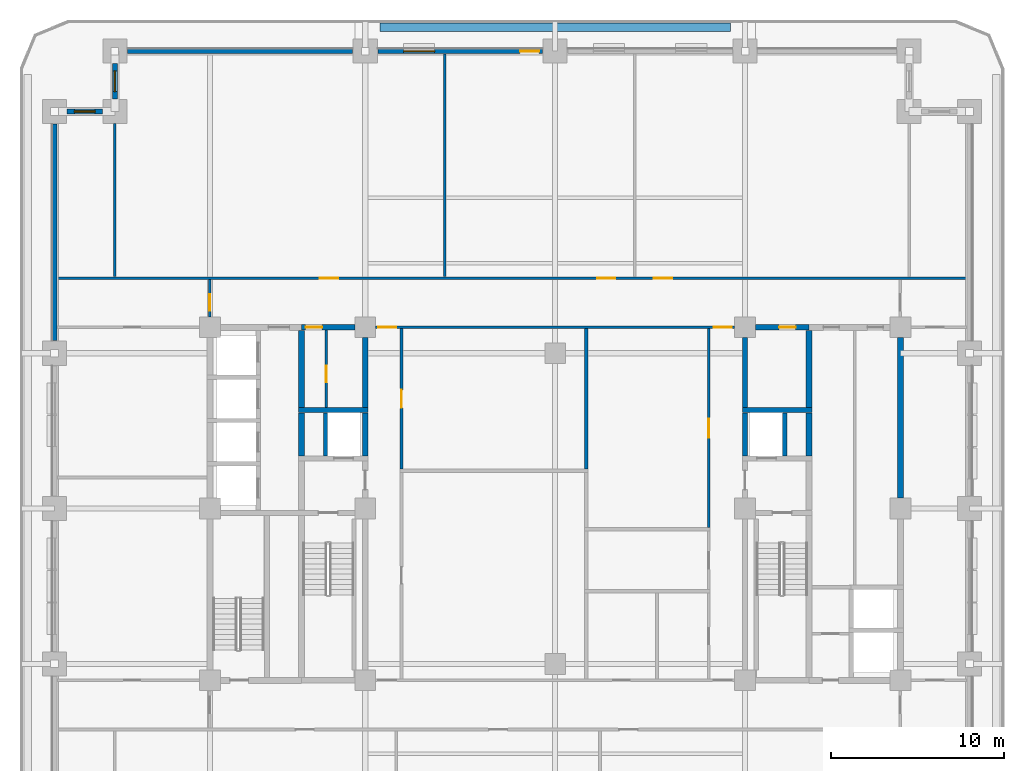
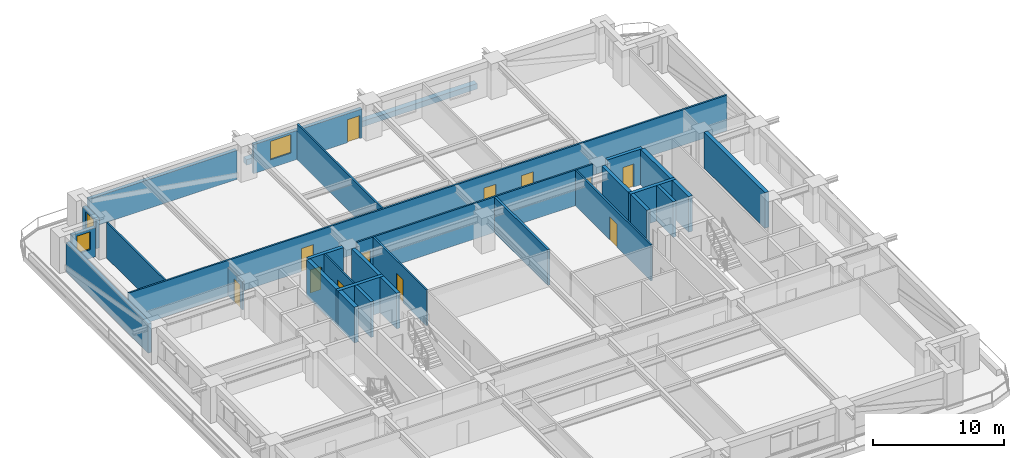
# One storey, part 5 of 14: 30 walls, 12 doors, 3 windows, 15 openings.
"""IFC4 building model written with IfcOpenShell, lengths in metres."""

from ifc_helpers import new_model, si_unit, direction, frame, frame_2d, origin, place, context, subcontext, project, spatial, rectangle, extrude, material, layer, layer_set, type_object, element, fill, save


model = new_model("IFC4")

# Units and contexts
model_context = context("Model", 3, precision=1e-05, world=origin(), true_north=direction((0.0, 1.0)))
body_context = subcontext(model_context, "Body", "Model", "MODEL_VIEW")
ifc_project = project(units=[si_unit("LENGTHUNIT", "METRE"), si_unit("AREAUNIT", "SQUARE_METRE"), si_unit("VOLUMEUNIT", "CUBIC_METRE"), si_unit("PLANEANGLEUNIT", "RADIAN"), si_unit("MASSUNIT", "GRAM", prefix="KILO")], contexts=[model_context])

# Site, building, storey
site_placement = place(None, origin())
site = spatial("IfcSite", under=ifc_project, at=site_placement, CompositionType="ELEMENT")
building_placement = place(site_placement, origin())
building = spatial("IfcBuilding", under=site, at=building_placement, Name="Zulmaris Gate Convention Tower", CompositionType="ELEMENT")
storey_placement = place(building_placement, frame((0.0, 0.0, 64.329833984375)))
storey = spatial("IfcBuildingStorey", under=building, at=storey_placement, Name="L15", CompositionType="ELEMENT", Elevation=64.329833984375)

# Walls
ifc_material_1 = material(Name="Concrete C50/60", Category="concrete")
ifc_layer_1 = layer(ifc_material_1, 0.25, Name="Concrete C50/60")
ifc_layer_set_1 = layer_set([ifc_layer_1], Name="Concrete C50/60")
wall_type_1 = type_object("IfcWallType", Name="CORE-250", PredefinedType="SOLIDWALL", material=ifc_layer_set_1)
for number, where, z_axis, x_axis, name in (
    (1, (-13.300048828125, 3.052001953125, 0.0), (0.0, 0.0, 1.0), (0.0, 1.0, 0.0), "WL-L15-048"),
    (2, (13.300048828125, 3.052001953125, 0.0), (0.0, 0.0, 1.0), (0.0, 1.0, 0.0), "WL-L15-059"),
):
    element("IfcWall", number, at=place(storey_placement, frame(where, z_axis=z_axis, x_axis=x_axis)), inside=storey, type_object=wall_type_1, Name=name, PredefinedType="SOLIDWALL", context=body_context, shape_type="SweptSolid", body=[
        extrude(rectangle(XDim=2.49609375, YDim=0.25, at=frame_2d((1.248046875, 0.0))), origin(), (0.0, 0.0, 1.0), 3.320068359375),
    ])
ifc_layer_2 = layer(ifc_material_1, 0.300048828125, Name="Concrete C50/60")
ifc_layer_set_2 = layer_set([ifc_layer_2], Name="Concrete C50/60")
wall_type_2 = type_object("IfcWallType", Name="CORE-300", PredefinedType="SHEAR", material=ifc_layer_set_2)
for number, where, z_axis, x_axis, name in (
    (3, (-14.875, 5.699951171875, 0.0), (0.0, 0.0, 1.0), (1.0, 0.0, 0.0), "WL-L15-013"),
    (4, (10.85009765625, 5.699951171875, 0.0), (0.0, 0.0, 1.0), (1.0, 0.0, 0.0), "WL-L15-014"),
):
    element("IfcWall", number, at=place(storey_placement, frame(where, z_axis=z_axis, x_axis=x_axis)), inside=storey, type_object=wall_type_2, Name=name, PredefinedType="SHEAR", context=body_context, shape_type="SweptSolid", body=[
        extrude(rectangle(XDim=4.02490234375, YDim=0.300048828125, at=frame_2d((2.012451171875, 0.0))), origin(), (0.0, 0.0, 1.0), 3.320068359375),
    ])

# Wall, opening, door
wall_1_placement = place(storey_placement, frame((-14.699951171875, 10.5, 0.0), z_axis=(0.0, 0.0, 1.0), x_axis=(1.0, 0.0, 0.0)))
wall_1 = element("IfcWall", 5, at=wall_1_placement, inside=storey, type_object=wall_type_2, Name="WL-L15-017", PredefinedType="SHEAR", context=body_context, shape_type="SweptSolid", body=[
    extrude(rectangle(XDim=3.095947265625, YDim=0.300048828125, at=frame_2d((1.5478515625, 0.0))), origin(), (0.0, 0.0, 1.0), 3.320068359375),
])
opening_1_placement = place(wall_1_placement, frame((0.2451171875, 0.0, 0.0)))
opening_1 = element("IfcOpeningElement", 6, at=opening_1_placement, cuts=wall_1, Name="Opening D-11", PredefinedType="OPENING", context=body_context, shape_type="SweptSolid", body=[
    extrude(rectangle(XDim=0.949951171875, YDim=2.14990234375, at=frame_2d((0.47509765625, 1.074951171875))), frame((0.0, 0.16015625, 0.0), z_axis=(0.0, -1.0, 0.0), x_axis=(1.0, 0.0, 0.0)), (0.0, 0.0, 1.0), 0.320068359375),
])
ifc_material_2 = material(Name="Fire-Rated Timber", Category="wood")
door_type_1 = type_object("IfcDoorType", Name="DR-950-FD", OperationType="NOTDEFINED", PredefinedType="DOOR", material=ifc_material_2)
door_1_placement = place(opening_1_placement, origin())
door_1 = element("IfcDoor", 7, at=door_1_placement, inside=storey, type_object=door_type_1, Name="L15 Core Mail Room Door 07", OperationType="SINGLE_SWING_LEFT", OverallHeight=2.14990234375, OverallWidth=0.949951171875, PredefinedType="DOOR", context=body_context, shape_type="SweptSolid", body=[
    extrude(rectangle(XDim=0.949951171875, YDim=2.14990234375, at=frame_2d((0.47509765625, 1.074951171875))), frame((0.0, 0.02490234375, 0.0), z_axis=(0.0, -1.0, 0.0), x_axis=(1.0, 0.0, 0.0)), (0.0, 0.0, 1.0), 0.050048828125),
])
fill(opening_1, door_1)

wall_2_placement = place(storey_placement, frame((11.60400390625, 10.5, 0.0), z_axis=(0.0, 0.0, 1.0), x_axis=(1.0, 0.0, 0.0)))
wall_2 = element("IfcWall", 8, at=wall_2_placement, inside=storey, type_object=wall_type_2, Name="WL-L15-018", PredefinedType="SHEAR", context=body_context, shape_type="SweptSolid", body=[
    extrude(rectangle(XDim=3.095947265625, YDim=0.300048828125, at=frame_2d((1.5478515625, 0.0))), origin(), (0.0, 0.0, 1.0), 3.320068359375),
])
opening_2_placement = place(wall_2_placement, frame((1.37109375, 0.0, 0.0)))
opening_2 = element("IfcOpeningElement", 9, at=opening_2_placement, cuts=wall_2, Name="Opening D-11", PredefinedType="OPENING", context=body_context, shape_type="SweptSolid", body=[
    extrude(rectangle(XDim=0.949951171875, YDim=2.14990234375, at=frame_2d((0.47509765625, 1.074951171875))), frame((0.0, 0.16015625, 0.0), z_axis=(0.0, -1.0, 0.0), x_axis=(1.0, 0.0, 0.0)), (0.0, 0.0, 1.0), 0.320068359375),
])
door_2_placement = place(opening_2_placement, origin())
door_2 = element("IfcDoor", 10, at=door_2_placement, inside=storey, type_object=door_type_1, Name="L15 Core Tea Pantry Door 09", OperationType="SINGLE_SWING_LEFT", OverallHeight=2.14990234375, OverallWidth=0.949951171875, PredefinedType="DOOR", context=body_context, shape_type="SweptSolid", body=[
    extrude(rectangle(XDim=0.949951171875, YDim=2.14990234375, at=frame_2d((0.47509765625, 1.074951171875))), frame((0.0, 0.02490234375, 0.0), z_axis=(0.0, -1.0, 0.0), x_axis=(1.0, 0.0, 0.0)), (0.0, 0.0, 1.0), 0.050048828125),
])
fill(opening_2, door_2)

# Walls
wall_3_placement = place(storey_placement, frame((-11.0, 3.052001953125, 0.0), z_axis=(0.0, 0.0, 1.0), x_axis=(0.0, 1.0, 0.0)))
element("IfcWall", 11, at=wall_3_placement, inside=storey, type_object=wall_type_2, Name="WL-L15-052", PredefinedType="SHEAR", context=body_context, shape_type="SweptSolid", body=[
    extrude(rectangle(XDim=2.49609375, YDim=0.300048828125, at=frame_2d((1.248046875, 0.0))), origin(), (0.0, 0.0, 1.0), 3.320068359375),
])
wall_4_placement = place(storey_placement, frame((-11.0, 5.85205078125, 0.0), z_axis=(0.0, 0.0, 1.0), x_axis=(0.0, 1.0, 0.0)))
element("IfcWall", 12, at=wall_4_placement, inside=storey, type_object=wall_type_2, Name="WL-L15-053", PredefinedType="SHEAR", context=body_context, shape_type="SweptSolid", body=[
    extrude(rectangle(XDim=4.0439453125, YDim=0.300048828125, at=frame_2d((2.02197265625, 0.0))), origin(), (0.0, 0.0, 1.0), 3.320068359375),
])
wall_5_placement = place(storey_placement, frame((11.0, 3.052001953125, 0.0), z_axis=(0.0, 0.0, 1.0), x_axis=(0.0, 1.0, 0.0)))
element("IfcWall", 13, at=wall_5_placement, inside=storey, type_object=wall_type_2, Name="WL-L15-056", PredefinedType="SHEAR", context=body_context, shape_type="SweptSolid", body=[
    extrude(rectangle(XDim=2.49609375, YDim=0.300048828125, at=frame_2d((1.248046875, 0.0))), origin(), (0.0, 0.0, 1.0), 3.320068359375),
])
wall_6_placement = place(storey_placement, frame((11.0, 5.85205078125, 0.0), z_axis=(0.0, 0.0, 1.0), x_axis=(0.0, 1.0, 0.0)))
element("IfcWall", 14, at=wall_6_placement, inside=storey, type_object=wall_type_2, Name="WL-L15-057", PredefinedType="SHEAR", context=body_context, shape_type="SweptSolid", body=[
    extrude(rectangle(XDim=4.0439453125, YDim=0.300048828125, at=frame_2d((2.02197265625, 0.0))), origin(), (0.0, 0.0, 1.0), 3.320068359375),
])
ifc_material_3 = material(Name="Concrete C55/67", Category="concrete")
ifc_layer_3 = layer(ifc_material_3, 0.35009765625, Name="Concrete C55/67")
ifc_layer_set_3 = layer_set([ifc_layer_3], Name="Concrete C55/67")
wall_type_3 = type_object("IfcWallType", Name="CORE-350", PredefinedType="SHEAR", material=ifc_layer_set_3)
wall_7_placement = place(storey_placement, frame((-14.699951171875, 3.052001953125, 0.0), z_axis=(0.0, 0.0, 1.0), x_axis=(0.0, 1.0, 0.0)))
element("IfcWall", 15, at=wall_7_placement, inside=storey, type_object=wall_type_3, Name="WL-L15-046", PredefinedType="SHEAR", context=body_context, shape_type="SweptSolid", body=[
    extrude(rectangle(XDim=2.49609375, YDim=0.35009765625, at=frame_2d((1.248046875, 0.0))), origin(), (0.0, 0.0, 1.0), 3.320068359375),
])
wall_8_placement = place(storey_placement, frame((-14.699951171875, 5.85205078125, 0.0), z_axis=(0.0, 0.0, 1.0), x_axis=(0.0, 1.0, 0.0)))
element("IfcWall", 16, at=wall_8_placement, inside=storey, type_object=wall_type_3, Name="WL-L15-047", PredefinedType="SHEAR", context=body_context, shape_type="SweptSolid", body=[
    extrude(rectangle(XDim=4.470947265625, YDim=0.35009765625, at=frame_2d((2.2353515625, 0.0))), origin(), (0.0, 0.0, 1.0), 3.320068359375),
])
wall_9_placement = place(storey_placement, frame((14.699951171875, 3.052001953125, 0.0), z_axis=(0.0, 0.0, 1.0), x_axis=(0.0, 1.0, 0.0)))
element("IfcWall", 17, at=wall_9_placement, inside=storey, type_object=wall_type_3, Name="WL-L15-062", PredefinedType="SHEAR", context=body_context, shape_type="SweptSolid", body=[
    extrude(rectangle(XDim=2.49609375, YDim=0.35009765625, at=frame_2d((1.248046875, 0.0))), origin(), (0.0, 0.0, 1.0), 3.320068359375),
])
wall_10_placement = place(storey_placement, frame((14.699951171875, 5.85205078125, 0.0), z_axis=(0.0, 0.0, 1.0), x_axis=(0.0, 1.0, 0.0)))
element("IfcWall", 18, at=wall_10_placement, inside=storey, type_object=wall_type_3, Name="WL-L15-063", PredefinedType="SHEAR", context=body_context, shape_type="SweptSolid", body=[
    extrude(rectangle(XDim=4.470947265625, YDim=0.35009765625, at=frame_2d((2.2353515625, 0.0))), origin(), (0.0, 0.0, 1.0), 3.320068359375),
])
wall_11_placement = place(storey_placement, frame((20.0, 0.60400390625, 0.0), z_axis=(0.0, 0.0, 1.0), x_axis=(0.0, 1.0, 0.0)))
element("IfcWall", 19, at=wall_11_placement, inside=storey, type_object=wall_type_3, Name="WL-L15-068S1", PredefinedType="SHEAR", context=body_context, shape_type="SweptSolid", body=[
    extrude(rectangle(XDim=9.2919921875, YDim=0.35009765625, at=frame_2d((4.64599609375, 0.0))), origin(), (0.0, 0.0, 1.0), 3.320068359375),
])

# Wall, openings, doors
ifc_material_4 = material(Name="Gypsum Metal Stud Partition")
ifc_layer_4 = layer(ifc_material_4, 0.14990234375, Name="Gypsum Metal Stud Partition")
ifc_layer_set_4 = layer_set([ifc_layer_4], Name="Gypsum Metal Stud Partition")
wall_type_4 = type_object("IfcWallType", Name="PART-150", PredefinedType="PARTITIONING", material=ifc_layer_set_4)
wall_12_placement = place(storey_placement, frame((-10.39404296875, 10.5, 0.0), z_axis=(0.0, 0.0, 1.0), x_axis=(1.0, 0.0, 0.0)))
wall_12 = element("IfcWall", 20, at=wall_12_placement, inside=storey, type_object=wall_type_4, Name="WL-L15-031", PredefinedType="PARTITIONING", context=body_context, shape_type="SweptSolid", body=[
    extrude(rectangle(XDim=20.7880859375, YDim=0.14990234375, at=frame_2d((10.39404296875, 0.0))), origin(), (0.0, 0.0, 1.0), 3.320068359375),
])
opening_3_placement = place(wall_12_placement, frame((0.14990234375, 0.0, 0.0)))
opening_3 = element("IfcOpeningElement", 21, at=opening_3_placement, cuts=wall_12, Name="Opening D-09", PredefinedType="OPENING", context=body_context, shape_type="SweptSolid", body=[
    extrude(rectangle(XDim=1.050048828125, YDim=2.14990234375, at=frame_2d((0.52490234375, 1.074951171875))), frame((0.0, 0.0849609375, 0.0), z_axis=(0.0, -1.0, 0.0), x_axis=(1.0, 0.0, 0.0)), (0.0, 0.0, 1.0), 0.169921875),
])
opening_4_placement = place(wall_12_placement, frame((19.587890625, 0.0, 0.0)))
opening_4 = element("IfcOpeningElement", 22, at=opening_4_placement, cuts=wall_12, Name="Opening D-09", PredefinedType="OPENING", context=body_context, shape_type="SweptSolid", body=[
    extrude(rectangle(XDim=1.050048828125, YDim=2.14990234375, at=frame_2d((0.52490234375, 1.074951171875))), frame((0.0, 0.0849609375, 0.0), z_axis=(0.0, -1.0, 0.0), x_axis=(1.0, 0.0, 0.0)), (0.0, 0.0, 1.0), 0.169921875),
])
ifc_material_5 = material(Name="Fire-Rated Steel", Category="steel")
door_type_2 = type_object("IfcDoorType", Name="DR-1050-FD", OperationType="NOTDEFINED", PredefinedType="DOOR", material=ifc_material_5)
door_3_placement = place(opening_3_placement, origin())
door_3 = element("IfcDoor", 23, at=door_3_placement, inside=storey, type_object=door_type_2, Name="L15 NW Spine Link Door 20", OperationType="SINGLE_SWING_RIGHT", OverallHeight=2.14990234375, OverallWidth=1.050048828125, PredefinedType="DOOR", context=body_context, shape_type="SweptSolid", body=[
    extrude(rectangle(XDim=1.050048828125, YDim=2.14990234375, at=frame_2d((0.52490234375, 1.074951171875))), frame((0.0, 0.02490234375, 0.0), z_axis=(0.0, -1.0, 0.0), x_axis=(1.0, 0.0, 0.0)), (0.0, 0.0, 1.0), 0.050048828125),
])
fill(opening_3, door_3)
door_4_placement = place(opening_4_placement, origin())
door_4 = element("IfcDoor", 24, at=door_4_placement, inside=storey, type_object=door_type_2, Name="L15 NE Spine Link Door 22", OperationType="SINGLE_SWING_RIGHT", OverallHeight=2.14990234375, OverallWidth=1.050048828125, PredefinedType="DOOR", context=body_context, shape_type="SweptSolid", body=[
    extrude(rectangle(XDim=1.050048828125, YDim=2.14990234375, at=frame_2d((0.52490234375, 1.074951171875))), frame((0.0, 0.02490234375, 0.0), z_axis=(0.0, -1.0, 0.0), x_axis=(1.0, 0.0, 0.0)), (0.0, 0.0, 1.0), 0.050048828125),
])
fill(opening_4, door_4)

wall_13_placement = place(storey_placement, frame((-28.8349609375, 13.35009765625, 0.0), z_axis=(0.0, 0.0, 1.0), x_axis=(1.0, 0.0, 0.0)))
wall_13 = element("IfcWall", 25, at=wall_13_placement, inside=storey, type_object=wall_type_4, Name="WL-L15-033", PredefinedType="PARTITIONING", context=body_context, shape_type="SweptSolid", body=[
    extrude(rectangle(XDim=52.669921875, YDim=0.14990234375, at=frame_2d((26.3349609375, 0.0))), origin(), (0.0, 0.0, 1.0), 3.320068359375),
])
opening_5_placement = place(wall_13_placement, frame((15.2099609375, 0.0, 0.0)))
opening_5 = element("IfcOpeningElement", 26, at=opening_5_placement, cuts=wall_13, Name="Opening D-09", PredefinedType="OPENING", context=body_context, shape_type="SweptSolid", body=[
    extrude(rectangle(XDim=1.050048828125, YDim=2.14990234375, at=frame_2d((0.52490234375, 1.074951171875))), frame((0.0, 0.0849609375, 0.0), z_axis=(0.0, -1.0, 0.0), x_axis=(1.0, 0.0, 0.0)), (0.0, 0.0, 1.0), 0.169921875),
])
opening_6_placement = place(wall_13_placement, frame((31.260009765625, 0.0, 0.0)))
opening_6 = element("IfcOpeningElement", 27, at=opening_6_placement, cuts=wall_13, Name="Opening D-09", PredefinedType="OPENING", context=body_context, shape_type="SweptSolid", body=[
    extrude(rectangle(XDim=1.050048828125, YDim=2.14990234375, at=frame_2d((0.52490234375, 1.074951171875))), frame((0.0, 0.0849609375, 0.0), z_axis=(0.0, -1.0, 0.0), x_axis=(1.0, 0.0, 0.0)), (0.0, 0.0, 1.0), 0.169921875),
])
opening_7_placement = place(wall_13_placement, frame((34.56005859375, 0.0, 0.0)))
opening_7 = element("IfcOpeningElement", 28, at=opening_7_placement, cuts=wall_13, Name="Opening D-09", PredefinedType="OPENING", context=body_context, shape_type="SweptSolid", body=[
    extrude(rectangle(XDim=1.050048828125, YDim=2.14990234375, at=frame_2d((0.52490234375, 1.074951171875))), frame((0.0, 0.0849609375, 0.0), z_axis=(0.0, -1.0, 0.0), x_axis=(1.0, 0.0, 0.0)), (0.0, 0.0, 1.0), 0.169921875),
])
door_5_placement = place(opening_5_placement, origin())
door_5 = element("IfcDoor", 29, at=door_5_placement, inside=storey, type_object=door_type_2, Name="L15 Partner Corner Office Door 24", OperationType="SINGLE_SWING_RIGHT", OverallHeight=2.14990234375, OverallWidth=1.050048828125, PredefinedType="DOOR", context=body_context, shape_type="SweptSolid", body=[
    extrude(rectangle(XDim=1.050048828125, YDim=2.14990234375, at=frame_2d((0.52490234375, 1.074951171875))), frame((0.0, 0.02490234375, 0.0), z_axis=(0.0, -1.0, 0.0), x_axis=(1.0, 0.0, 0.0)), (0.0, 0.0, 1.0), 0.050048828125),
])
fill(opening_5, door_5)
door_6_placement = place(opening_6_placement, origin())
door_6 = element("IfcDoor", 30, at=door_6_placement, inside=storey, type_object=door_type_2, Name="L15 Advisory Suite Office Door 25", OperationType="SINGLE_SWING_LEFT", OverallHeight=2.14990234375, OverallWidth=1.050048828125, PredefinedType="DOOR", context=body_context, shape_type="SweptSolid", body=[
    extrude(rectangle(XDim=1.050048828125, YDim=2.14990234375, at=frame_2d((0.52490234375, 1.074951171875))), frame((0.0, 0.02490234375, 0.0), z_axis=(0.0, -1.0, 0.0), x_axis=(1.0, 0.0, 0.0)), (0.0, 0.0, 1.0), 0.050048828125),
])
fill(opening_6, door_6)
door_7_placement = place(opening_7_placement, origin())
door_7 = element("IfcDoor", 31, at=door_7_placement, inside=storey, type_object=door_type_2, Name="L15 Open Plan Workplace Door 26", OperationType="SINGLE_SWING_RIGHT", OverallHeight=2.14990234375, OverallWidth=1.050048828125, PredefinedType="DOOR", context=body_context, shape_type="SweptSolid", body=[
    extrude(rectangle(XDim=1.050048828125, YDim=2.14990234375, at=frame_2d((0.52490234375, 1.074951171875))), frame((0.0, 0.02490234375, 0.0), z_axis=(0.0, -1.0, 0.0), x_axis=(1.0, 0.0, 0.0)), (0.0, 0.0, 1.0), 0.050048828125),
])
fill(opening_7, door_7)

# Wall
wall_14_placement = place(storey_placement, frame((-25.5, 13.427978515625, 0.0), z_axis=(0.0, 0.0, 1.0), x_axis=(0.0, 1.0, 0.0)))
element("IfcWall", 32, at=wall_14_placement, inside=storey, type_object=wall_type_4, Name="WL-L15-070", PredefinedType="PARTITIONING", context=body_context, shape_type="SweptSolid", body=[
    extrude(rectangle(XDim=8.865966796875, YDim=0.14990234375, at=frame_2d((4.43310546875, 0.0))), origin(), (0.0, 0.0, 1.0), 3.320068359375),
])

# Wall, opening, door
wall_15_placement = place(storey_placement, frame((-20.0, 11.10595703125, 0.0), z_axis=(0.0, 0.0, 1.0), x_axis=(0.0, 1.0, 0.0)))
wall_15 = element("IfcWall", 33, at=wall_15_placement, inside=storey, type_object=wall_type_4, Name="WL-L15-072", PredefinedType="PARTITIONING", context=body_context, shape_type="SweptSolid", body=[
    extrude(rectangle(XDim=2.166015625, YDim=0.14990234375, at=frame_2d((1.0830078125, 0.0))), origin(), (0.0, 0.0, 1.0), 2.66015625),
])
opening_8_placement = place(wall_15_placement, frame((0.34912109375, 0.0, 0.0)))
opening_8 = element("IfcOpeningElement", 34, at=opening_8_placement, cuts=wall_15, Name="Opening D-11", PredefinedType="OPENING", context=body_context, shape_type="SweptSolid", body=[
    extrude(rectangle(XDim=0.949951171875, YDim=2.14990234375, at=frame_2d((0.47509765625, 1.074951171875))), frame((0.0, 0.0849609375, 0.0), z_axis=(0.0, -1.0, 0.0), x_axis=(1.0, 0.0, 0.0)), (0.0, 0.0, 1.0), 0.169921875),
])
door_8_placement = place(opening_8_placement, origin())
door_8 = element("IfcDoor", 35, at=door_8_placement, inside=storey, type_object=door_type_1, Name="L15 NW Spur Door 36", OperationType="SINGLE_SWING_RIGHT", OverallHeight=2.14990234375, OverallWidth=0.949951171875, PredefinedType="DOOR", context=body_context, shape_type="SweptSolid", body=[
    extrude(rectangle(XDim=0.949951171875, YDim=2.14990234375, at=frame_2d((0.47509765625, 1.074951171875))), frame((0.0, 0.02490234375, 0.0), z_axis=(0.0, -1.0, 0.0), x_axis=(1.0, 0.0, 0.0)), (0.0, 0.0, 1.0), 0.050048828125),
])
fill(opening_8, door_8)

wall_16_placement = place(storey_placement, frame((-13.25, 5.85302734375, 0.0), z_axis=(0.0, 0.0, 1.0), x_axis=(0.0, 1.0, 0.0)))
wall_16 = element("IfcWall", 36, at=wall_16_placement, inside=storey, type_object=wall_type_4, Name="WL-L15-073", PredefinedType="PARTITIONING", context=body_context, shape_type="SweptSolid", body=[
    extrude(rectangle(XDim=4.493896484375, YDim=0.14990234375, at=frame_2d((2.2470703125, 0.0))), origin(), (0.0, 0.0, 1.0), 3.320068359375),
])
opening_9_placement = place(wall_16_placement, frame((1.471923828125, 0.0, 0.0)))
opening_9 = element("IfcOpeningElement", 37, at=opening_9_placement, cuts=wall_16, Name="Opening D-11", PredefinedType="OPENING", context=body_context, shape_type="SweptSolid", body=[
    extrude(rectangle(XDim=0.949951171875, YDim=2.14990234375, at=frame_2d((0.47509765625, 1.074951171875))), frame((0.0, 0.0849609375, 0.0), z_axis=(0.0, -1.0, 0.0), x_axis=(1.0, 0.0, 0.0)), (0.0, 0.0, 1.0), 0.169921875),
])
door_9_placement = place(opening_9_placement, origin())
door_9 = element("IfcDoor", 38, at=door_9_placement, inside=storey, type_object=door_type_1, Name="L15 Core Janitor Door 08", OperationType="SINGLE_SWING_RIGHT", OverallHeight=2.14990234375, OverallWidth=0.949951171875, PredefinedType="DOOR", context=body_context, shape_type="SweptSolid", body=[
    extrude(rectangle(XDim=0.949951171875, YDim=2.14990234375, at=frame_2d((0.47509765625, 1.074951171875))), frame((0.0, 0.02490234375, 0.0), z_axis=(0.0, -1.0, 0.0), x_axis=(1.0, 0.0, 0.0)), (0.0, 0.0, 1.0), 0.050048828125),
])
fill(opening_9, door_9)

wall_17_placement = place(storey_placement, frame((-8.89990234375, 2.302978515625, 0.0), z_axis=(0.0, 0.0, 1.0), x_axis=(0.0, 1.0, 0.0)))
wall_17 = element("IfcWall", 39, at=wall_17_placement, inside=storey, type_object=wall_type_4, Name="WL-L15-076", PredefinedType="PARTITIONING", context=body_context, shape_type="SweptSolid", body=[
    extrude(rectangle(XDim=8.119140625, YDim=0.14990234375, at=frame_2d((4.0595703125, 0.0))), origin(), (0.0, 0.0, 1.0), 3.320068359375),
])
opening_10_placement = place(wall_17_placement, frame((3.52197265625, 0.0, 0.0)))
opening_10 = element("IfcOpeningElement", 40, at=opening_10_placement, cuts=wall_17, Name="Opening D-09", PredefinedType="OPENING", context=body_context, shape_type="SweptSolid", body=[
    extrude(rectangle(XDim=1.050048828125, YDim=2.14990234375, at=frame_2d((0.52490234375, 1.074951171875))), frame((0.0, 0.0849609375, 0.0), z_axis=(0.0, -1.0, 0.0), x_axis=(1.0, 0.0, 0.0)), (0.0, 0.0, 1.0), 0.169921875),
])
door_10_placement = place(opening_10_placement, origin())
door_10 = element("IfcDoor", 41, at=door_10_placement, inside=storey, type_object=door_type_2, Name="L15 Boardroom Door 30", OperationType="SINGLE_SWING_RIGHT", OverallHeight=2.14990234375, OverallWidth=1.050048828125, PredefinedType="DOOR", context=body_context, shape_type="SweptSolid", body=[
    extrude(rectangle(XDim=1.050048828125, YDim=2.14990234375, at=frame_2d((0.52490234375, 1.074951171875))), frame((0.0, 0.02490234375, 0.0), z_axis=(0.0, -1.0, 0.0), x_axis=(1.0, 0.0, 0.0)), (0.0, 0.0, 1.0), 0.050048828125),
])
fill(opening_10, door_10)

# Wall
wall_18_placement = place(storey_placement, frame((-6.39990234375, 13.427978515625, 0.0), z_axis=(0.0, 0.0, 1.0), x_axis=(0.0, 1.0, 0.0)))
element("IfcWall", 42, at=wall_18_placement, inside=storey, type_object=wall_type_4, Name="WL-L15-077", PredefinedType="PARTITIONING", context=body_context, shape_type="SweptSolid", body=[
    extrude(rectangle(XDim=12.906982421875, YDim=0.14990234375, at=frame_2d((6.45361328125, 0.0))), origin(), (0.0, 0.0, 1.0), 3.320068359375),
])

# Wall, opening, door
wall_19_placement = place(storey_placement, frame((8.89990234375, -1.096923828125, 0.0), z_axis=(0.0, 0.0, 1.0), x_axis=(0.0, 1.0, 0.0)))
wall_19 = element("IfcWall", 43, at=wall_19_placement, inside=storey, type_object=wall_type_4, Name="WL-L15-087", PredefinedType="PARTITIONING", context=body_context, shape_type="SweptSolid", body=[
    extrude(rectangle(XDim=11.51904296875, YDim=0.14990234375, at=frame_2d((5.759521484375, 0.0))), origin(), (0.0, 0.0, 1.0), 3.320068359375),
])
opening_11_placement = place(wall_19_placement, frame((5.197021484375, 0.0, 0.0)))
opening_11 = element("IfcOpeningElement", 44, at=opening_11_placement, cuts=wall_19, Name="Opening D-08", PredefinedType="OPENING", context=body_context, shape_type="SweptSolid", body=[
    extrude(rectangle(XDim=1.10009765625, YDim=2.14990234375, at=frame_2d((0.550048828125, 1.074951171875))), frame((0.0, 0.0849609375, 0.0), z_axis=(0.0, -1.0, 0.0), x_axis=(1.0, 0.0, 0.0)), (0.0, 0.0, 1.0), 0.169921875),
])
door_type_3 = type_object("IfcDoorType", Name="DR-1100-FD", OperationType="NOTDEFINED", PredefinedType="DOOR", material=ifc_material_5)
door_11_placement = place(opening_11_placement, origin())
door_11 = element("IfcDoor", 45, at=door_11_placement, inside=storey, type_object=door_type_3, Name="L15 Seminar Forum Door 32", OperationType="SINGLE_SWING_RIGHT", OverallHeight=2.14990234375, OverallWidth=1.10009765625, PredefinedType="DOOR", context=body_context, shape_type="SweptSolid", body=[
    extrude(rectangle(XDim=1.10009765625, YDim=2.14990234375, at=frame_2d((0.550048828125, 1.074951171875))), frame((0.0, 0.02490234375, 0.0), z_axis=(0.0, -1.0, 0.0), x_axis=(1.0, 0.0, 0.0)), (0.0, 0.0, 1.0), 0.050048828125),
])
fill(opening_11, door_11)

# Walls
ifc_material_6 = material(Name="Autoclaved Aerated Concrete Block and Plasterboard", Category="concrete")
ifc_layer_5 = layer(ifc_material_6, 0.199951171875, Name="Autoclaved Aerated Concrete Block and Plasterboard")
ifc_layer_set_5 = layer_set([ifc_layer_5], Name="Autoclaved Aerated Concrete Block and Plasterboard")
wall_type_5 = type_object("IfcWallType", Name="PART-200", PredefinedType="PARTITIONING", material=ifc_layer_set_5)
wall_20_placement = place(storey_placement, frame((1.800048828125, 2.302978515625, 0.0), z_axis=(0.0, 0.0, 1.0), x_axis=(0.0, 1.0, 0.0)))
element("IfcWall", 46, at=wall_20_placement, inside=storey, type_object=wall_type_5, Name="WL-L15-081", PredefinedType="PARTITIONING", context=body_context, shape_type="SweptSolid", body=[
    extrude(rectangle(XDim=8.119140625, YDim=0.199951171875, at=frame_2d((4.0595703125, 0.0))), origin(), (0.0, 0.0, 1.0), 3.320068359375),
])
ifc_material_7 = material(Name="Botanical Green Glazed Precast Concrete C40/50", Category="concrete")
ifc_layer_6 = layer(ifc_material_7, 0.419921875, Name="Botanical Green Glazed Precast Concrete C40/50")
ifc_layer_set_6 = layer_set([ifc_layer_6], Name="Botanical Green Glazed Precast Concrete C40/50")
wall_type_6 = type_object("IfcWallType", Name="PLANTER-CURB-200", PredefinedType="PARAPET", material=ifc_layer_set_6)
wall_21_placement = place(storey_placement, frame((-10.14990234375, 27.8798828125, -0.0400390625), z_axis=(0.0, 0.0, 1.0), x_axis=(1.0, 0.0, 0.0)))
element("IfcWall", 47, at=wall_21_placement, inside=storey, type_object=wall_type_6, Name="L15 Full-Length Balcony Tree Planter Trough", PredefinedType="PARAPET", context=body_context, shape_type="SweptSolid", body=[
    extrude(rectangle(XDim=20.2998046875, YDim=0.47998046875, at=frame_2d((10.14990234375, 0.0))), origin(), (0.0, 0.0, 1.0), 0.52001953125),
])

# Wall, opening, window
ifc_material_8 = material(Name="Precast concrete C40/50", Category="concrete")
ifc_layer_7 = layer(ifc_material_8, 0.300048828125, Name="Precast concrete C40/50")
ifc_layer_set_7 = layer_set([ifc_layer_7], Name="Precast concrete C40/50")
wall_type_7 = type_object("IfcWallType", Name="PRECAST-PIER-300", PredefinedType="STANDARD", material=ifc_layer_set_7)
wall_22_placement = place(storey_placement, frame((-25.5, 25.77001953125, 0.0), z_axis=(0.0, 0.0, 1.0), x_axis=(0.0, -1.0, 0.0)))
wall_22 = element("IfcWall", 48, at=wall_22_placement, inside=storey, type_object=wall_type_7, Name="EW-L15-NOTCH-NW1_0", PredefinedType="STANDARD", context=body_context, shape_type="SweptSolid", body=[
    extrude(rectangle(XDim=2.0400390625, YDim=0.300048828125, at=frame_2d((1.02001953125, 0.0))), origin(), (0.0, 0.0, 1.0), 2.712158203125),
])
opening_12_placement = place(wall_22_placement, frame((0.419921875, 0.0, 0.820068359375)))
opening_12 = element("IfcOpeningElement", 49, at=opening_12_placement, cuts=wall_22, Name="Opening W-04", PredefinedType="OPENING", context=body_context, shape_type="SweptSolid", body=[
    extrude(rectangle(XDim=1.199951171875, YDim=1.64990234375, at=frame_2d((0.60009765625, 0.824951171875))), frame((0.0, 0.16015625, 0.0), z_axis=(0.0, -1.0, 0.0), x_axis=(1.0, 0.0, 0.0)), (0.0, 0.0, 1.0), 0.320068359375),
])
ifc_material_9 = material(Name="Low-E Laminated Double Glazing in Aluminium Frame", Category="aluminium")
window_type_1 = type_object("IfcWindowType", Name="WIN-1200x2100", PartitioningType="SINGLE_PANEL", PredefinedType="WINDOW", material=ifc_material_9)
window_1_placement = place(opening_12_placement, origin())
window_1 = element("IfcWindow", 50, at=window_1_placement, inside=storey, type_object=window_type_1, Name="WN-EW-L15-NOTCH-NW1_0", OverallHeight=1.64990234375, OverallWidth=1.199951171875, PartitioningType="SINGLE_PANEL", PredefinedType="WINDOW", context=body_context, shape_type="SweptSolid", body=[
    extrude(rectangle(XDim=1.199951171875, YDim=1.64990234375, at=frame_2d((0.60009765625, 0.824951171875))), frame((0.0, 0.030029296875, 0.0), z_axis=(0.0, -1.0, 0.0), x_axis=(1.0, 0.0, 0.0)), (0.0, 0.0, 1.0), 0.06005859375),
])
fill(opening_12, window_1)

wall_23_placement = place(storey_placement, frame((-26.22998046875, 23.0, 0.0), z_axis=(0.0, 0.0, 1.0), x_axis=(-1.0, 0.0, 0.0)))
wall_23 = element("IfcWall", 51, at=wall_23_placement, inside=storey, type_object=wall_type_7, Name="EW-L15-NOTCH-NW2_0", PredefinedType="STANDARD", context=body_context, shape_type="SweptSolid", body=[
    extrude(rectangle(XDim=2.0400390625, YDim=0.300048828125, at=frame_2d((1.02001953125, 0.0))), origin(), (0.0, 0.0, 1.0), 2.712158203125),
])
opening_13_placement = place(wall_23_placement, frame((0.419921875, 0.0, 0.820068359375)))
opening_13 = element("IfcOpeningElement", 52, at=opening_13_placement, cuts=wall_23, Name="Opening W-04", PredefinedType="OPENING", context=body_context, shape_type="SweptSolid", body=[
    extrude(rectangle(XDim=1.199951171875, YDim=1.64990234375, at=frame_2d((0.60009765625, 0.824951171875))), frame((0.0, 0.16015625, 0.0), z_axis=(0.0, -1.0, 0.0), x_axis=(1.0, 0.0, 0.0)), (0.0, 0.0, 1.0), 0.320068359375),
])
window_2_placement = place(opening_13_placement, origin())
window_2 = element("IfcWindow", 53, at=window_2_placement, inside=storey, type_object=window_type_1, Name="WN-EW-L15-NOTCH-NW2_0", OverallHeight=1.64990234375, OverallWidth=1.199951171875, PartitioningType="SINGLE_PANEL", PredefinedType="WINDOW", context=body_context, shape_type="SweptSolid", body=[
    extrude(rectangle(XDim=1.199951171875, YDim=1.64990234375, at=frame_2d((0.60009765625, 0.824951171875))), frame((0.0, 0.030029296875, 0.0), z_axis=(0.0, -1.0, 0.0), x_axis=(1.0, 0.0, 0.0)), (0.0, 0.0, 1.0), 0.06005859375),
])
fill(opening_13, window_2)

# Wall
wall_24_placement = place(storey_placement, frame((-11.72998046875, 26.5, 0.0), z_axis=(0.0, 0.0, 1.0), x_axis=(-1.0, 0.0, 0.0)))
element("IfcWall", 54, at=wall_24_placement, inside=storey, type_object=wall_type_7, Name="EW-L15-N-0_0", PredefinedType="STANDARD", context=body_context, shape_type="SweptSolid", body=[
    extrude(rectangle(XDim=13.0400390625, YDim=0.300048828125, at=frame_2d((6.52001953125, 0.0))), origin(), (0.0, 0.0, 1.0), 2.712158203125),
])

# Wall, openings, door, window
wall_25_placement = place(storey_placement, frame((-0.72998046875, 26.5, 0.0), z_axis=(0.0, 0.0, 1.0), x_axis=(-1.0, 0.0, 0.0)))
wall_25 = element("IfcWall", 55, at=wall_25_placement, inside=storey, type_object=wall_type_7, Name="EW-L15-N-1_0", PredefinedType="STANDARD", context=body_context, shape_type="SweptSolid", body=[
    extrude(rectangle(XDim=9.5400390625, YDim=0.300048828125, at=frame_2d((4.77001953125, 0.0))), origin(), (0.0, 0.0, 1.0), 2.712158203125),
])
opening_14_placement = place(wall_25_placement, frame((0.199951171875, 0.0, 0.0)))
opening_14 = element("IfcOpeningElement", 56, at=opening_14_placement, cuts=wall_25, Name="Opening D-04", PredefinedType="OPENING", context=body_context, shape_type="SweptSolid", body=[
    extrude(rectangle(XDim=1.10009765625, YDim=2.14990234375, at=frame_2d((0.550048828125, 1.074951171875))), frame((0.0, 0.16015625, 0.0), z_axis=(0.0, -1.0, 0.0), x_axis=(1.0, 0.0, 0.0)), (0.0, 0.0, 1.0), 0.320068359375),
])
opening_15_placement = place(wall_25_placement, frame((6.2548828125, 0.0, 0.780029296875)))
opening_15 = element("IfcOpeningElement", 57, at=opening_15_placement, cuts=wall_25, Name="Opening W-02", PredefinedType="OPENING", context=body_context, shape_type="SweptSolid", body=[
    extrude(rectangle(XDim=1.800048828125, YDim=1.719970703125, at=frame_2d((0.89990234375, 0.85986328125))), frame((0.0, 0.16015625, 0.0), z_axis=(0.0, -1.0, 0.0), x_axis=(1.0, 0.0, 0.0)), (0.0, 0.0, 1.0), 0.320068359375),
])
ifc_material_10 = material(Name="Anodised Aluminium and Laminated Glass", Category="aluminium")
door_type_4 = type_object("IfcDoorType", Name="ED-1100", OperationType="SINGLE_SWING_RIGHT", PredefinedType="DOOR", material=ifc_material_10)
door_12_placement = place(opening_14_placement, origin())
door_12 = element("IfcDoor", 58, at=door_12_placement, inside=storey, type_object=door_type_4, Name="L15 N Planted Terrace Door", OperationType="SINGLE_SWING_LEFT", OverallHeight=2.14990234375, OverallWidth=1.10009765625, PredefinedType="DOOR", context=body_context, shape_type="SweptSolid", body=[
    extrude(rectangle(XDim=1.10009765625, YDim=2.14990234375, at=frame_2d((0.550048828125, 1.074951171875))), frame((0.0, 0.02490234375, 0.0), z_axis=(0.0, -1.0, 0.0), x_axis=(1.0, 0.0, 0.0)), (0.0, 0.0, 1.0), 0.050048828125),
])
fill(opening_14, door_12)
window_type_2 = type_object("IfcWindowType", Name="WIN-1800x2200", PartitioningType="SINGLE_PANEL", PredefinedType="WINDOW", material=ifc_material_9)
window_3_placement = place(opening_15_placement, origin())
window_3 = element("IfcWindow", 59, at=window_3_placement, inside=storey, type_object=window_type_2, Name="WN-EW-L15-N-1_0-3", OverallHeight=1.719970703125, OverallWidth=1.800048828125, PartitioningType="SINGLE_PANEL", PredefinedType="WINDOW", context=body_context, shape_type="SweptSolid", body=[
    extrude(rectangle(XDim=1.800048828125, YDim=1.719970703125, at=frame_2d((0.89990234375, 0.85986328125))), frame((0.0, 0.030029296875, 0.0), z_axis=(0.0, -1.0, 0.0), x_axis=(1.0, 0.0, 0.0)), (0.0, 0.0, 1.0), 0.06005859375),
])
fill(opening_15, window_3)

# Wall
wall_26_placement = place(storey_placement, frame((-29.0, 22.27001953125, 0.0), z_axis=(0.0, 0.0, 1.0), x_axis=(0.0, -1.0, 0.0)))
element("IfcWall", 60, at=wall_26_placement, inside=storey, type_object=wall_type_7, Name="EW-L15-W-3_0", PredefinedType="STANDARD", context=body_context, shape_type="SweptSolid", body=[
    extrude(rectangle(XDim=12.5400390625, YDim=0.300048828125, at=frame_2d((6.27001953125, 0.0))), origin(), (0.0, 0.0, 1.0), 2.712158203125),
])

save(model, "model.ifc")
